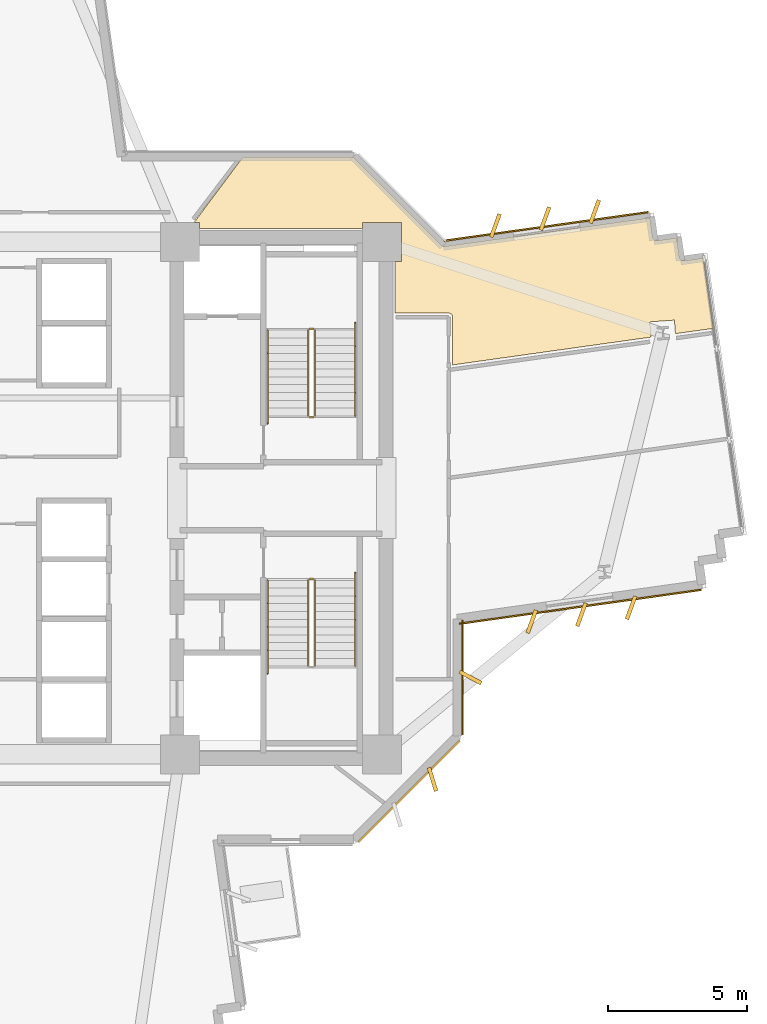
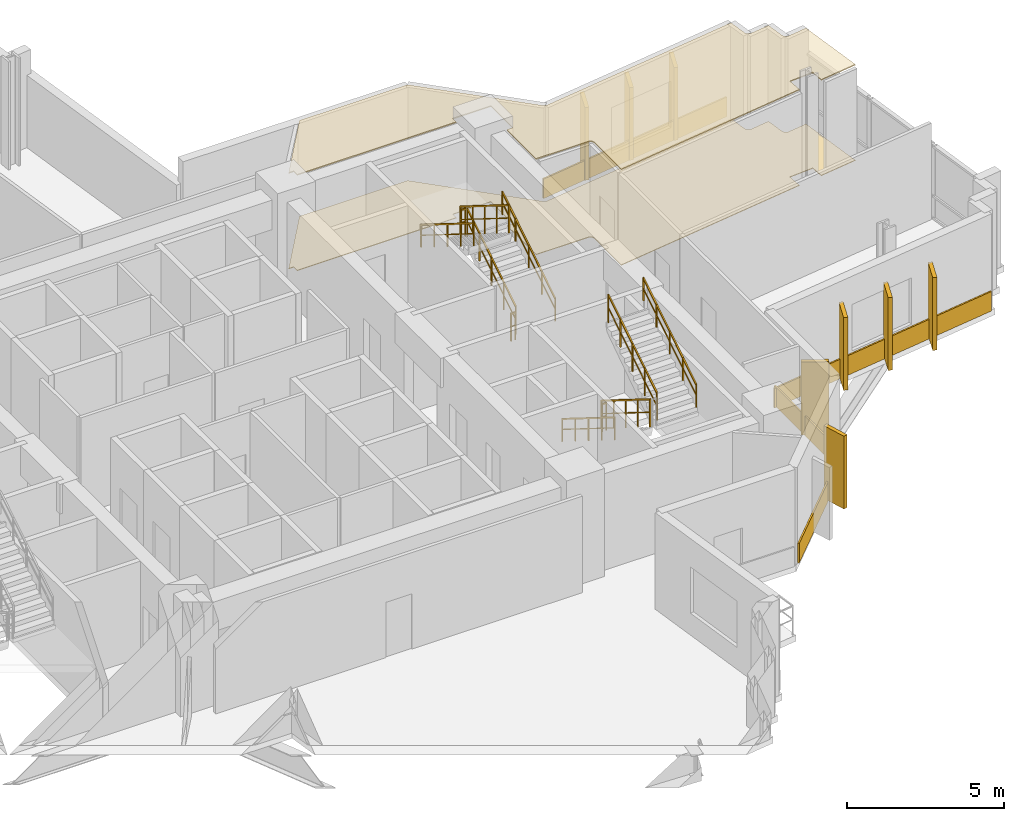
# One storey, part 13 of 14: 14 coverings, 11 railings.
"""IFC4 building model written with IfcOpenShell, lengths in metres."""

from ifc_helpers import new_model, si_unit, direction, frame, origin, origin_2d, place, context, subcontext, project, spatial, polyline, rectangle, outline, extrude, source, transform, mapped, material, layer, layer_set, type_object, element, save


model = new_model("IFC4")

# Units and contexts
model_context = context("Model", 3, precision=1e-05, world=origin(), true_north=direction((0.0, 1.0)))
body_context = subcontext(model_context, "Body", "Model", "MODEL_VIEW")
ifc_project = project(units=[si_unit("LENGTHUNIT", "METRE"), si_unit("AREAUNIT", "SQUARE_METRE"), si_unit("VOLUMEUNIT", "CUBIC_METRE"), si_unit("PLANEANGLEUNIT", "RADIAN"), si_unit("MASSUNIT", "GRAM", prefix="KILO")], contexts=[model_context])

# Site, building, storey
site_placement = place(None, origin())
site = spatial("IfcSite", under=ifc_project, at=site_placement, CompositionType="ELEMENT")
building_placement = place(site_placement, origin())
building = spatial("IfcBuilding", under=site, at=building_placement, Name="Zahravan Cultural Tower", CompositionType="ELEMENT")
storey_placement = place(building_placement, frame((0.0, 0.0, 121.5)))
storey = spatial("IfcBuildingStorey", under=building, at=storey_placement, Name="L27", CompositionType="ELEMENT", Elevation=121.5)

# Coverings
ifc_material_1 = material(Name="Acoustic mineral fibreboard")
ifc_layer_1 = layer(ifc_material_1, 0.0400390625)
ifc_layer_set_1 = layer_set([ifc_layer_1], Name="Acoustic mineral fibreboard")
covering_type_1 = type_object("IfcCoveringType", Name="COV-CEIL-AC20", PredefinedType="CEILING", material=ifc_layer_set_1)
covering_1_placement = place(storey_placement, frame((0.0, 0.0, 3.7099609375)))
element("IfcCovering", 1, at=covering_1_placement, inside=storey, type_object=covering_type_1, Name="L27 Acoustic Suspended Ceiling", PredefinedType="CEILING", context=body_context, shape_type="SweptSolid", body=[
    extrude(outline(polyline([(52.7578125, 33.639892578125), (52.80419921875, 33.630615234375), (52.85009765625, 33.60009765625), (52.880615234375, 33.55419921875), (52.889892578125, 33.5078125), (52.889892578125, 31.781005859375), (60.015380859375, 32.780029296875), (59.97705078125, 33.327880859375), (60.854736328125, 33.389404296875), (60.888916015625, 32.90234375), (62.248291015625, 33.093017578125), (61.894287109375, 35.618408203125), (61.201416015625, 35.521240234375), (61.1328125, 35.528564453125), (61.067626953125, 35.57275390625), (61.03369140625, 35.63720703125), (60.9345703125, 36.342041015625), (60.243408203125, 36.2451171875), (60.1884765625, 36.248291015625), (60.131591796875, 36.275634765625), (60.08984375, 36.32275390625), (60.07177734375, 36.374755859375), (59.974853515625, 37.06591796875), (52.577880859375, 36.03271484375), (52.501220703125, 36.072509765625), (49.333740234375, 39.239990234375), (45.36279296875, 39.239990234375), (43.615478515625, 36.89990234375), (43.800048828125, 36.89990234375), (43.800048828125, 36.679931640625), (49.64990234375, 36.679931640625), (49.64990234375, 36.89990234375), (51.050048828125, 36.89990234375), (51.050048828125, 35.5), (50.830078125, 35.5), (50.830078125, 33.6396484375), (52.7578125, 33.639892578125)])), origin(), (0.0, 0.0, 1.0), 0.0400390625),
])
ifc_material_2 = material(Name="Terrazzo flooring")
ifc_layer_2 = layer(ifc_material_2, 0.02490234375)
ifc_layer_set_2 = layer_set([ifc_layer_2], Name="Terrazzo flooring")
covering_type_2 = type_object("IfcCoveringType", Name="COV-FLR-TZ25", PredefinedType="FLOORING", material=ifc_layer_set_2)
covering_2_placement = place(storey_placement, origin())
element("IfcCovering", 2, at=covering_2_placement, inside=storey, type_object=covering_type_2, Name="L27 Polished Terrazzo Flooring", PredefinedType="FLOORING", context=body_context, shape_type="SweptSolid", body=[
    extrude(outline(polyline([(52.7578125, 33.639892578125), (52.80419921875, 33.630615234375), (52.85009765625, 33.60009765625), (52.880615234375, 33.55419921875), (52.889892578125, 33.5078125), (52.889892578125, 31.781005859375), (60.015380859375, 32.780029296875), (59.97705078125, 33.327880859375), (60.854736328125, 33.389404296875), (60.888916015625, 32.90234375), (62.248291015625, 33.093017578125), (61.894287109375, 35.618408203125), (61.201416015625, 35.521240234375), (61.1328125, 35.528564453125), (61.067626953125, 35.57275390625), (61.03369140625, 35.63720703125), (60.9345703125, 36.342041015625), (60.243408203125, 36.2451171875), (60.1884765625, 36.248291015625), (60.131591796875, 36.275634765625), (60.08984375, 36.32275390625), (60.07177734375, 36.374755859375), (59.974853515625, 37.06591796875), (52.577880859375, 36.03271484375), (52.501220703125, 36.072509765625), (49.333740234375, 39.239990234375), (45.36279296875, 39.239990234375), (43.615478515625, 36.89990234375), (43.800048828125, 36.89990234375), (43.800048828125, 36.679931640625), (49.64990234375, 36.679931640625), (49.64990234375, 36.89990234375), (51.050048828125, 36.89990234375), (51.050048828125, 35.5), (50.830078125, 35.5), (50.830078125, 33.6396484375), (52.7578125, 33.639892578125)])), origin(), (0.0, 0.0, 1.0), 0.02490234375),
])

# Railings
ifc_material_3 = material(Name="Steel ASTM A572 Grade 50", Category="steel")
railing_type_1 = type_object("IfcRailingType", Name="RL-STAIR-GRD1150", PredefinedType="BALUSTRADE", material=ifc_material_3)
railing_1_placement = place(storey_placement, frame((47.949951171875, 29.949951171875, 0.175048828125)))
element("IfcRailing", 3, at=railing_1_placement, inside=storey, type_object=railing_type_1, Name="L27 ST-E1 stair guard 1", PredefinedType="BALUSTRADE", context=body_context, shape_type="SweptSolid", body=[
    extrude(rectangle(XDim=0.05, YDim=0.05, at=origin_2d()), frame((0.0, 0.0, 1.0751953125), z_axis=(0.0, 0.847998304005, 0.529998940003), x_axis=(-1.0, 0.0, 0.0)), (0.0, 0.0, 1.0), 3.632080078125),
    extrude(rectangle(XDim=0.032, YDim=0.032, at=origin_2d()), frame((0.0, 0.0, 0.572021484375), z_axis=(0.0, 0.847998304005, 0.529998940003), x_axis=(-1.0, 0.0, 0.0)), (0.0, 0.0, 1.0), 3.632080078125),
    extrude(rectangle(XDim=0.04, YDim=0.04, at=origin_2d()), origin(), (0.0, 0.0, 1.0), 1.10009765625),
    extrude(rectangle(XDim=0.04, YDim=0.04, at=origin_2d()), frame((0.0, 0.77001953125, 0.481201171875)), (0.0, 0.0, 1.0), 1.10009765625),
    extrude(rectangle(XDim=0.04, YDim=0.04, at=origin_2d()), frame((0.0, 1.5400390625, 0.96240234375)), (0.0, 0.0, 1.0), 1.10009765625),
    extrude(rectangle(XDim=0.04, YDim=0.04, at=origin_2d()), frame((0.0, 2.31005859375, 1.44384765625)), (0.0, 0.0, 1.0), 1.10009765625),
    extrude(rectangle(XDim=0.04, YDim=0.04, at=origin_2d()), frame((0.0, 3.080078125, 1.925048828125)), (0.0, 0.0, 1.0), 1.10009765625),
])
railing_2_placement = place(storey_placement, frame((47.89990234375, 33.080078125, 2.10009765625)))
element("IfcRailing", 4, at=railing_2_placement, inside=storey, type_object=railing_type_1, Name="L27 ST-E1 stair guard 2", PredefinedType="BALUSTRADE", context=body_context, shape_type="SweptSolid", body=[
    extrude(rectangle(XDim=0.05, YDim=0.05, at=origin_2d()), frame((0.0, 0.0, 1.0751953125), z_axis=(-1.0, 0.0, 0.0), x_axis=(0.0, -1.0, 0.0)), (0.0, 0.0, 1.0), 0.14990234375),
    extrude(rectangle(XDim=0.032, YDim=0.032, at=origin_2d()), frame((0.0, 0.0, 0.572021484375), z_axis=(-1.0, 0.0, 0.0), x_axis=(0.0, -1.0, 0.0)), (0.0, 0.0, 1.0), 0.14990234375),
    extrude(rectangle(XDim=0.04, YDim=0.04, at=origin_2d()), origin(), (0.0, 0.0, 1.0), 1.10009765625),
    extrude(rectangle(XDim=0.04, YDim=0.04, at=origin_2d()), frame((-0.14990234375, 0.0, 0.0)), (0.0, 0.0, 1.0), 1.10009765625),
])
railing_3_placement = place(storey_placement, frame((47.699951171875, 33.030029296875, 2.27490234375)))
element("IfcRailing", 5, at=railing_3_placement, inside=storey, type_object=railing_type_1, Name="L27 ST-E1 stair guard 3", PredefinedType="BALUSTRADE", context=body_context, shape_type="SweptSolid", body=[
    extrude(rectangle(XDim=0.05, YDim=0.05, at=origin_2d()), frame((0.0, 0.0, 1.0751953125), z_axis=(0.0, -0.847998304005, 0.529998940003), x_axis=(1.0, 0.0, 0.0)), (0.0, 0.0, 1.0), 3.632080078125),
    extrude(rectangle(XDim=0.032, YDim=0.032, at=origin_2d()), frame((0.0, 0.0, 0.572021484375), z_axis=(0.0, -0.847998304005, 0.529998940003), x_axis=(1.0, 0.0, 0.0)), (0.0, 0.0, 1.0), 3.632080078125),
    extrude(rectangle(XDim=0.04, YDim=0.04, at=origin_2d()), origin(), (0.0, 0.0, 1.0), 1.10009765625),
    extrude(rectangle(XDim=0.04, YDim=0.04, at=origin_2d()), frame((0.0, -0.77001953125, 0.481201171875)), (0.0, 0.0, 1.0), 1.10009765625),
    extrude(rectangle(XDim=0.04, YDim=0.04, at=origin_2d()), frame((0.0, -1.5400390625, 0.96240234375)), (0.0, 0.0, 1.0), 1.10009765625),
    extrude(rectangle(XDim=0.04, YDim=0.04, at=origin_2d()), frame((0.0, -2.31005859375, 1.44384765625)), (0.0, 0.0, 1.0), 1.10009765625),
    extrude(rectangle(XDim=0.04, YDim=0.04, at=origin_2d()), frame((0.0, -3.080078125, 1.925048828125)), (0.0, 0.0, 1.0), 1.10009765625),
])
railing_4_placement = place(storey_placement, frame((47.89990234375, 29.89990234375, 0.0)))
element("IfcRailing", 6, at=railing_4_placement, inside=storey, type_object=railing_type_1, Name="L27 ST-E1 stair guard 4", PredefinedType="BALUSTRADE", context=body_context, shape_type="SweptSolid", body=[
    extrude(rectangle(XDim=0.05, YDim=0.05, at=origin_2d()), frame((0.0, 0.0, 1.0751953125), z_axis=(-1.0, 0.0, 0.0), x_axis=(0.0, -1.0, 0.0)), (0.0, 0.0, 1.0), 0.14990234375),
    extrude(rectangle(XDim=0.032, YDim=0.032, at=origin_2d()), frame((0.0, 0.0, 0.572021484375), z_axis=(-1.0, 0.0, 0.0), x_axis=(0.0, -1.0, 0.0)), (0.0, 0.0, 1.0), 0.14990234375),
    extrude(rectangle(XDim=0.04, YDim=0.04, at=origin_2d()), origin(), (0.0, 0.0, 1.0), 1.10009765625),
    extrude(rectangle(XDim=0.04, YDim=0.04, at=origin_2d()), frame((-0.14990234375, 0.0, 0.0)), (0.0, 0.0, 1.0), 1.10009765625),
])
railing_5_placement = place(storey_placement, frame((47.699951171875, 24.050048828125, 0.175048828125)))
element("IfcRailing", 7, at=railing_5_placement, inside=storey, type_object=railing_type_1, Name="L27 ST-E2 stair guard 1", PredefinedType="BALUSTRADE", context=body_context, shape_type="SweptSolid", body=[
    extrude(rectangle(XDim=0.05, YDim=0.05, at=origin_2d()), frame((0.0, 0.0, 1.0751953125), z_axis=(0.0, -0.847998304005, 0.529998940003), x_axis=(1.0, 0.0, 0.0)), (0.0, 0.0, 1.0), 3.632080078125),
    extrude(rectangle(XDim=0.032, YDim=0.032, at=origin_2d()), frame((0.0, 0.0, 0.572021484375), z_axis=(0.0, -0.847998304005, 0.529998940003), x_axis=(1.0, 0.0, 0.0)), (0.0, 0.0, 1.0), 3.632080078125),
    extrude(rectangle(XDim=0.04, YDim=0.04, at=origin_2d()), origin(), (0.0, 0.0, 1.0), 1.10009765625),
    extrude(rectangle(XDim=0.04, YDim=0.04, at=origin_2d()), frame((0.0, -0.77001953125, 0.481201171875)), (0.0, 0.0, 1.0), 1.10009765625),
    extrude(rectangle(XDim=0.04, YDim=0.04, at=origin_2d()), frame((0.0, -1.5400390625, 0.96240234375)), (0.0, 0.0, 1.0), 1.10009765625),
    extrude(rectangle(XDim=0.04, YDim=0.04, at=origin_2d()), frame((0.0, -2.31005859375, 1.44384765625)), (0.0, 0.0, 1.0), 1.10009765625),
    extrude(rectangle(XDim=0.04, YDim=0.04, at=origin_2d()), frame((0.0, -3.080078125, 1.925048828125)), (0.0, 0.0, 1.0), 1.10009765625),
])
railing_6_placement = place(storey_placement, frame((47.949951171875, 20.969970703125, 2.27490234375)))
element("IfcRailing", 8, at=railing_6_placement, inside=storey, type_object=railing_type_1, Name="L27 ST-E2 stair guard 3", PredefinedType="BALUSTRADE", context=body_context, shape_type="SweptSolid", body=[
    extrude(rectangle(XDim=0.05, YDim=0.05, at=origin_2d()), frame((0.0, 0.0, 1.0751953125), z_axis=(0.0, 0.847998304005, 0.529998940003), x_axis=(-1.0, 0.0, 0.0)), (0.0, 0.0, 1.0), 3.632080078125),
    extrude(rectangle(XDim=0.032, YDim=0.032, at=origin_2d()), frame((0.0, 0.0, 0.572021484375), z_axis=(0.0, 0.847998304005, 0.529998940003), x_axis=(-1.0, 0.0, 0.0)), (0.0, 0.0, 1.0), 3.632080078125),
    extrude(rectangle(XDim=0.04, YDim=0.04, at=origin_2d()), origin(), (0.0, 0.0, 1.0), 1.10009765625),
    extrude(rectangle(XDim=0.04, YDim=0.04, at=origin_2d()), frame((0.0, 0.77001953125, 0.481201171875)), (0.0, 0.0, 1.0), 1.10009765625),
    extrude(rectangle(XDim=0.04, YDim=0.04, at=origin_2d()), frame((0.0, 1.5400390625, 0.96240234375)), (0.0, 0.0, 1.0), 1.10009765625),
    extrude(rectangle(XDim=0.04, YDim=0.04, at=origin_2d()), frame((0.0, 2.31005859375, 1.44384765625)), (0.0, 0.0, 1.0), 1.10009765625),
    extrude(rectangle(XDim=0.04, YDim=0.04, at=origin_2d()), frame((0.0, 3.080078125, 1.925048828125)), (0.0, 0.0, 1.0), 1.10009765625),
])
railing_7_placement = place(storey_placement, frame((47.75, 24.10009765625, 0.0)))
element("IfcRailing", 9, at=railing_7_placement, inside=storey, type_object=railing_type_1, Name="L27 ST-E2 stair guard 4", PredefinedType="BALUSTRADE", context=body_context, shape_type="SweptSolid", body=[
    extrude(rectangle(XDim=0.05, YDim=0.05, at=origin_2d()), frame((0.0, 0.0, 1.0751953125), z_axis=(1.0, 0.0, 0.0), x_axis=(0.0, 1.0, 0.0)), (0.0, 0.0, 1.0), 0.14990234375),
    extrude(rectangle(XDim=0.032, YDim=0.032, at=origin_2d()), frame((0.0, 0.0, 0.572021484375), z_axis=(1.0, 0.0, 0.0), x_axis=(0.0, 1.0, 0.0)), (0.0, 0.0, 1.0), 0.14990234375),
    extrude(rectangle(XDim=0.04, YDim=0.04, at=origin_2d()), origin(), (0.0, 0.0, 1.0), 1.10009765625),
    extrude(rectangle(XDim=0.04, YDim=0.04, at=origin_2d()), frame((0.14990234375, 0.0, 0.0)), (0.0, 0.0, 1.0), 1.10009765625),
])
railing_type_2 = type_object("IfcRailingType", Name="RL-STAIR-HR900", PredefinedType="HANDRAIL", material=ifc_material_3)
railing_8_placement = place(storey_placement, frame((49.39990234375, 29.949951171875, 0.175048828125)))
element("IfcRailing", 10, at=railing_8_placement, inside=storey, type_object=railing_type_2, Name="L27 ST-E1 stair handrail 1", PredefinedType="HANDRAIL", context=body_context, shape_type="SweptSolid", body=[
    extrude(rectangle(XDim=0.05, YDim=0.05, at=origin_2d()), frame((0.0, 0.0, 0.875), z_axis=(0.0, 0.848022534174, 0.529960169762), x_axis=(-1.0, 0.0, 0.0)), (0.0, 0.0, 1.0), 3.96240234375),
    extrude(rectangle(XDim=0.032, YDim=0.032, at=origin_2d()), frame((0.0, 0.0, 0.468017578125), z_axis=(0.0, 0.848022534174, 0.529960169762), x_axis=(-1.0, 0.0, 0.0)), (0.0, 0.0, 1.0), 3.96240234375),
    extrude(rectangle(XDim=0.04, YDim=0.04, at=origin_2d()), origin(), (0.0, 0.0, 1.0), 0.89990234375),
    extrude(rectangle(XDim=0.04, YDim=0.04, at=origin_2d()), frame((0.0, 0.840087890625, 0.52490234375)), (0.0, 0.0, 1.0), 0.89990234375),
    extrude(rectangle(XDim=0.04, YDim=0.04, at=origin_2d()), frame((0.0, 1.68017578125, 1.0498046875)), (0.0, 0.0, 1.0), 0.89990234375),
    extrude(rectangle(XDim=0.04, YDim=0.04, at=origin_2d()), frame((0.0, 2.52001953125, 1.574951171875)), (0.0, 0.0, 1.0), 0.89990234375),
    extrude(rectangle(XDim=0.04, YDim=0.04, at=origin_2d()), frame((0.0, 3.360107421875, 2.099853515625)), (0.0, 0.0, 1.0), 0.89990234375),
])
railing_9_placement = place(storey_placement, frame((46.25, 33.030029296875, 2.27490234375)))
element("IfcRailing", 11, at=railing_9_placement, inside=storey, type_object=railing_type_2, Name="L27 ST-E1 stair handrail 2", PredefinedType="HANDRAIL", context=body_context, shape_type="SweptSolid", body=[
    extrude(rectangle(XDim=0.05, YDim=0.05, at=origin_2d()), frame((0.0, 0.0, 0.875), z_axis=(0.0, -0.847994842521, 0.530004478338), x_axis=(1.0, 0.0, 0.0)), (0.0, 0.0, 1.0), 3.96240234375),
    extrude(rectangle(XDim=0.032, YDim=0.032, at=origin_2d()), frame((0.0, 0.0, 0.468017578125), z_axis=(0.0, -0.847994842521, 0.530004478338), x_axis=(1.0, 0.0, 0.0)), (0.0, 0.0, 1.0), 3.96240234375),
    extrude(rectangle(XDim=0.04, YDim=0.04, at=origin_2d()), origin(), (0.0, 0.0, 1.0), 0.89990234375),
    extrude(rectangle(XDim=0.04, YDim=0.04, at=origin_2d()), frame((0.0, -0.840087890625, 0.52490234375)), (0.0, 0.0, 1.0), 0.89990234375),
    extrude(rectangle(XDim=0.04, YDim=0.04, at=origin_2d()), frame((0.0, -1.68017578125, 1.050048828125)), (0.0, 0.0, 1.0), 0.89990234375),
    extrude(rectangle(XDim=0.04, YDim=0.04, at=origin_2d()), frame((0.0, -2.52001953125, 1.5751953125)), (0.0, 0.0, 1.0), 0.89990234375),
    extrude(rectangle(XDim=0.04, YDim=0.04, at=origin_2d()), frame((0.0, -3.360107421875, 2.10009765625)), (0.0, 0.0, 1.0), 0.89990234375),
])
railing_10_placement = place(storey_placement, frame((46.25, 24.050048828125, 0.175048828125)))
element("IfcRailing", 12, at=railing_10_placement, inside=storey, type_object=railing_type_2, Name="L27 ST-E2 stair handrail 1", PredefinedType="HANDRAIL", context=body_context, shape_type="SweptSolid", body=[
    extrude(rectangle(XDim=0.05, YDim=0.05, at=origin_2d()), frame((0.0, 0.0, 0.875), z_axis=(0.0, -0.848022534174, 0.529960169762), x_axis=(1.0, 0.0, 0.0)), (0.0, 0.0, 1.0), 3.96240234375),
    extrude(rectangle(XDim=0.032, YDim=0.032, at=origin_2d()), frame((0.0, 0.0, 0.468017578125), z_axis=(0.0, -0.848022534174, 0.529960169762), x_axis=(1.0, 0.0, 0.0)), (0.0, 0.0, 1.0), 3.96240234375),
    extrude(rectangle(XDim=0.04, YDim=0.04, at=origin_2d()), origin(), (0.0, 0.0, 1.0), 0.89990234375),
    extrude(rectangle(XDim=0.04, YDim=0.04, at=origin_2d()), frame((0.0, -0.840087890625, 0.52490234375)), (0.0, 0.0, 1.0), 0.89990234375),
    extrude(rectangle(XDim=0.04, YDim=0.04, at=origin_2d()), frame((0.0, -1.68017578125, 1.0498046875)), (0.0, 0.0, 1.0), 0.89990234375),
    extrude(rectangle(XDim=0.04, YDim=0.04, at=origin_2d()), frame((0.0, -2.52001953125, 1.574951171875)), (0.0, 0.0, 1.0), 0.89990234375),
    extrude(rectangle(XDim=0.04, YDim=0.04, at=origin_2d()), frame((0.0, -3.360107421875, 2.099853515625)), (0.0, 0.0, 1.0), 0.89990234375),
])
railing_11_placement = place(storey_placement, frame((49.39990234375, 20.969970703125, 2.27490234375)))
element("IfcRailing", 13, at=railing_11_placement, inside=storey, type_object=railing_type_2, Name="L27 ST-E2 stair handrail 2", PredefinedType="HANDRAIL", context=body_context, shape_type="SweptSolid", body=[
    extrude(rectangle(XDim=0.05, YDim=0.05, at=origin_2d()), frame((0.0, 0.0, 0.875), z_axis=(0.0, 0.847994842521, 0.530004478338), x_axis=(-1.0, 0.0, 0.0)), (0.0, 0.0, 1.0), 3.96240234375),
    extrude(rectangle(XDim=0.032, YDim=0.032, at=origin_2d()), frame((0.0, 0.0, 0.468017578125), z_axis=(0.0, 0.847994842521, 0.530004478338), x_axis=(-1.0, 0.0, 0.0)), (0.0, 0.0, 1.0), 3.96240234375),
    extrude(rectangle(XDim=0.04, YDim=0.04, at=origin_2d()), origin(), (0.0, 0.0, 1.0), 0.89990234375),
    extrude(rectangle(XDim=0.04, YDim=0.04, at=origin_2d()), frame((0.0, 0.840087890625, 0.52490234375)), (0.0, 0.0, 1.0), 0.89990234375),
    extrude(rectangle(XDim=0.04, YDim=0.04, at=origin_2d()), frame((0.0, 1.68017578125, 1.050048828125)), (0.0, 0.0, 1.0), 0.89990234375),
    extrude(rectangle(XDim=0.04, YDim=0.04, at=origin_2d()), frame((0.0, 2.52001953125, 1.5751953125)), (0.0, 0.0, 1.0), 0.89990234375),
    extrude(rectangle(XDim=0.04, YDim=0.04, at=origin_2d()), frame((0.0, 3.360107421875, 2.10009765625)), (0.0, 0.0, 1.0), 0.89990234375),
])

# Coverings
ifc_material_4 = material(Name="Terracotta ceramic cladding", Category="masonry")
ifc_layer_3 = layer(ifc_material_4, 0.06005859375)
ifc_layer_set_3 = layer_set([ifc_layer_3], Name="Terracotta ceramic cladding")
covering_type_3 = type_object("IfcCoveringType", Name="COV-CLAD-TC60", PredefinedType="CLADDING", material=ifc_layer_set_3)
shared_shape_1 = source(origin(), body_context, "Body", "SweptSolid", [
    extrude(rectangle(XDim=5.157958984375, YDim=0.06005859375, at=origin_2d()), origin(), (0.0, 0.0, 1.0), 0.760009765625),
])
covering_3_placement = place(storey_placement, frame((51.331787109375, 16.46826171875, 0.02001953125), z_axis=(0.0, 0.0, 1.0), x_axis=(-0.707106781187, -0.707106781187, 0.0)))
element("IfcCovering", 14, at=covering_3_placement, inside=storey, type_object=covering_type_3, Name="L27 Terracotta Spandrel Cladding 12", PredefinedType="CLADDING", context=body_context, shape_type="MappedRepresentation", body=[
    mapped(shared_shape_1, transform((0.0, 0.0, 0.0), x_axis=(1.0, 0.0, 0.0), y_axis=(0.0, 1.0, 0.0), z_axis=(0.0, 0.0, 1.0), scale=1.0)),
])
shared_shape_2 = source(origin(), body_context, "Body", "SweptSolid", [
    extrude(rectangle(XDim=7.40869140625, YDim=0.06005859375, at=origin_2d()), origin(), (0.0, 0.0, 1.0), 0.760009765625),
])
covering_4_placement = place(storey_placement, frame((56.248291015625, 36.75048828125, 0.02001953125), z_axis=(0.0, 0.0, 1.0), x_axis=(0.990319011832, 0.138810139416, 0.0)))
element("IfcCovering", 15, at=covering_4_placement, inside=storey, type_object=covering_type_3, Name="L27 Terracotta Spandrel Cladding 01", PredefinedType="CLADDING", context=body_context, shape_type="MappedRepresentation", body=[
    mapped(shared_shape_2, transform((0.0, 0.0, 0.0), x_axis=(1.0, 0.0, 0.0), y_axis=(0.0, 1.0, 0.0), z_axis=(0.0, 0.0, 1.0), scale=1.0)),
])
shared_shape_3 = source(origin(), body_context, "Body", "SweptSolid", [
    extrude(rectangle(XDim=8.766845703125, YDim=0.06005859375, at=origin_2d()), origin(), (0.0, 0.0, 1.0), 0.760009765625),
])
covering_5_placement = place(storey_placement, frame((57.47607421875, 23.0986328125, 0.02001953125), z_axis=(0.0, 0.0, 1.0), x_axis=(-0.990316588987, -0.138827423723, 0.0)))
element("IfcCovering", 16, at=covering_5_placement, inside=storey, type_object=covering_type_3, Name="L27 Terracotta Spandrel Cladding 10", PredefinedType="CLADDING", context=body_context, shape_type="MappedRepresentation", body=[
    mapped(shared_shape_3, transform((0.0, 0.0, 0.0), x_axis=(1.0, 0.0, 0.0), y_axis=(0.0, 1.0, 0.0), z_axis=(0.0, 0.0, 1.0), scale=1.0)),
])
shared_shape_4 = source(origin(), body_context, "Body", "SweptSolid", [
    extrude(rectangle(XDim=4.1083984375, YDim=0.06005859375, at=origin_2d()), origin(), (0.0, 0.0, 1.0), 0.760009765625),
])
covering_6_placement = place(storey_placement, frame((53.2451171875, 20.562255859375, 0.02001953125), z_axis=(0.0, 0.0, 1.0), x_axis=(0.0, -1.0, 0.0)))
element("IfcCovering", 17, at=covering_6_placement, inside=storey, type_object=covering_type_3, Name="L27 Terracotta Spandrel Cladding 11", PredefinedType="CLADDING", context=body_context, shape_type="MappedRepresentation", body=[
    mapped(shared_shape_4, transform((0.0, 0.0, 0.0), x_axis=(1.0, 0.0, 0.0), y_axis=(0.0, 1.0, 0.0), z_axis=(0.0, 0.0, 1.0), scale=1.0)),
])
shared_shape_5 = source(origin(), body_context, "Body", "SweptSolid", [
    extrude(rectangle(XDim=0.8798828125, YDim=0.139892578125, at=origin_2d()), origin(), (0.0, 0.0, 1.0), 2.830078125),
])
for number, where, z_axis, x_axis, name in (
    (18, (54.426025390625, 36.78271484375, 0.050048828125), (0.0, 0.0, 1.0), (0.342364535679, 0.939567200742, 0.0), "L27 Herringbone Terracotta Fin 01"),
    (19, (56.20849609375, 37.03271484375, 0.050048828125), (0.0, 0.0, 1.0), (0.342364535679, 0.939567200742, 0.0), "L27 Herringbone Terracotta Fin 02"),
    (20, (57.9912109375, 37.28271484375, 0.050048828125), (0.0, 0.0, 1.0), (0.342364535679, 0.939567200742, 0.0), "L27 Herringbone Terracotta Fin 03"),
    (21, (59.29833984375, 23.06640625, 0.050048828125), (0.0, 0.0, 1.0), (-0.342348137086, -0.939573175987, 0.0), "L27 Herringbone Terracotta Fin 04"),
    (22, (57.515625, 22.81640625, 0.050048828125), (0.0, 0.0, 1.0), (-0.342348137086, -0.939573175987, 0.0), "L27 Herringbone Terracotta Fin 05"),
    (23, (55.733154296875, 22.566650390625, 0.050048828125), (0.0, 0.0, 1.0), (-0.342348137086, -0.939573175987, 0.0), "L27 Herringbone Terracotta Fin 06"),
    (24, (53.530029296875, 20.562255859375, 0.050048828125), (0.0, 0.0, 1.0), (0.882947592859, -0.469471562786, 0.0), "L27 Herringbone Terracotta Fin 07"),
    (25, (52.169677734375, 16.903076171875, 0.050048828125), (0.0, 0.0, 1.0), (0.292371704723, -0.956304755963, 0.0), "L27 Herringbone Terracotta Fin 08"),
):
    element("IfcCovering", number, at=place(storey_placement, frame(where, z_axis=z_axis, x_axis=x_axis)), inside=storey, type_object=covering_type_3, Name=name, PredefinedType="CLADDING", context=body_context, shape_type="MappedRepresentation", body=[
        mapped(shared_shape_5, transform((0.0, 0.0, 0.0), x_axis=(1.0, 0.0, 0.0), y_axis=(0.0, 1.0, 0.0), z_axis=(0.0, 0.0, 1.0), scale=1.0)),
    ])

save(model, "model.ifc")
